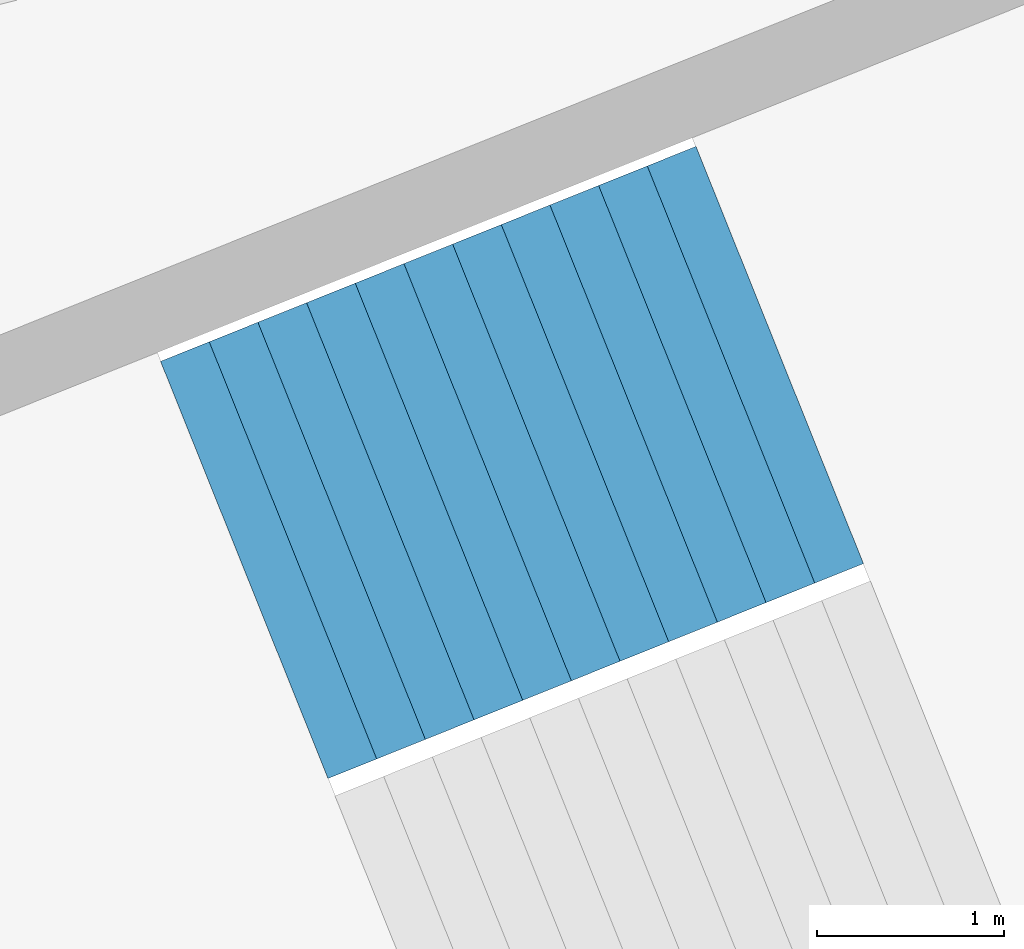
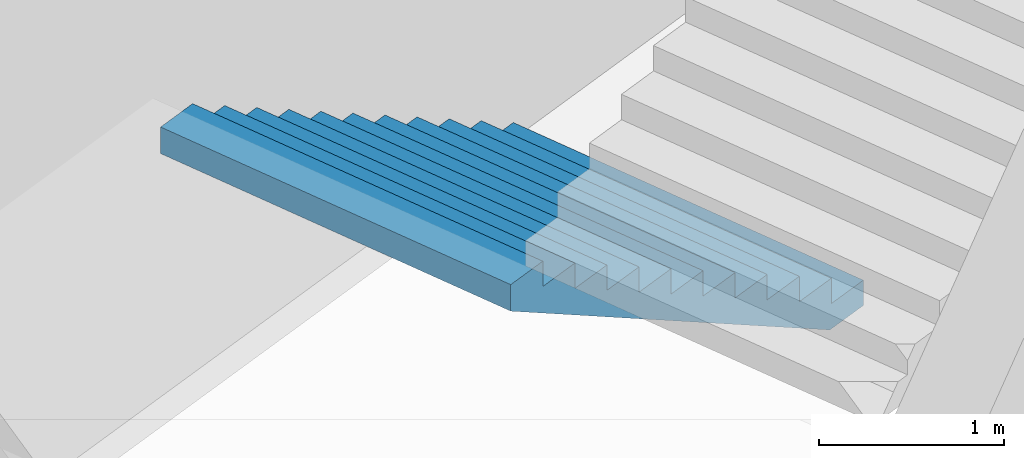
# One storey, part 20 of 74: 1 stair flight, 1 element without a shape of its own.
"""IFC4 building model written with IfcOpenShell, lengths in metres."""

from ifc_helpers import new_model, si_unit, direction, frame, origin, place, context, subcontext, project, spatial, triangles, material, type_object, element, aggregate, save


model = new_model("IFC4")

# Units and contexts
model_context = context("Model", 3, precision=1e-05, world=origin(), true_north=direction((0.0, 1.0)))
body_context = subcontext(model_context, "Body", "Model", "MODEL_VIEW")
ifc_project = project(units=[si_unit("LENGTHUNIT", "METRE"), si_unit("AREAUNIT", "SQUARE_METRE"), si_unit("VOLUMEUNIT", "CUBIC_METRE"), si_unit("PLANEANGLEUNIT", "RADIAN"), si_unit("MASSUNIT", "GRAM", prefix="KILO")], contexts=[model_context])

# Site, building, storey
site_placement = place(None, origin())
site = spatial("IfcSite", under=ifc_project, at=site_placement, CompositionType="ELEMENT")
building_placement = place(site_placement, origin())
building = spatial("IfcBuilding", under=site, at=building_placement, Name="Lantaw Convention Tower", CompositionType="ELEMENT")
storey_placement = place(building_placement, frame((0.0, 0.0, 6.5)))
storey = spatial("IfcBuildingStorey", under=building, at=storey_placement, Name="L01", CompositionType="ELEMENT", Elevation=6.5)

# Stair, stair flight
ifc_material = material(Name="Concrete C35/45", Category="concrete")
stair_type = type_object("IfcStairType", Name="Exit stair 2400 riser 166.67 in 4 flights", PredefinedType="HALF_TURN_STAIR", material=ifc_material)
stair_placement = place(storey_placement, origin())
stair = element("IfcStair", 1, at=stair_placement, inside=storey, type_object=stair_type, Name="Podium exit stair P11 L01", PredefinedType="HALF_TURN_STAIR")
stair_flight_type = type_object("IfcStairFlightType", Name="Stair flight 2400 riser 166.67", PredefinedType="STRAIGHT", material=ifc_material)
stair_flight_placement = place(storey_placement, frame((-30.017578125, -10.703369140625, 0.0), z_axis=(0.0, 0.0, 1.0), x_axis=(-0.928015168305, -0.372542410198, 0.0)))
stair_flight = element("IfcStairFlight", 2, at=stair_flight_placement, type_object=stair_flight_type, Name="P11 flight 1", NumberOfRisers=12, NumberOfTreads=11, PredefinedType="STRAIGHT", RiserHeight=0.166666667, TreadLength=0.28, context=body_context, shape_type="Tessellation", body=[
    triangles([(0.0, 1.199951171875, 0.0), (0.0, 1.199951171875, 0.166666667), (0.28, 1.199951171875, 0.0), (0.28, 1.199951171875, 0.166666667), (0.28, 1.199951171875, 0.333333334), (0.29307345806906726, 1.199951171875, 0.0), (0.29307345806906726, 1.199951171875, 0.333333334), (0.56, 1.199951171875, 0.15888484670522965), (0.56, 1.199951171875, 0.333333334), (0.56, 1.199951171875, 0.500000001), (0.8400000000000001, 1.199951171875, 0.3255515137052296), (0.8400000000000001, 1.199951171875, 0.500000001), (0.8400000000000001, 1.199951171875, 0.666666668), (1.12, 1.199951171875, 0.4922181807052296), (1.12, 1.199951171875, 0.666666668), (1.12, 1.199951171875, 0.833333335), (1.4000000000000001, 1.199951171875, 0.6588848477052296), (1.4000000000000001, 1.199951171875, 0.833333335), (1.4000000000000001, 1.199951171875, 1.000000002), (1.6800000000000002, 1.199951171875, 0.8255515147052296), (1.6800000000000002, 1.199951171875, 1.000000002), (1.6800000000000002, 1.199951171875, 1.166666669), (1.9600000000000002, 1.199951171875, 0.9922181817052296), (1.9600000000000002, 1.199951171875, 1.166666669), (1.9600000000000002, 1.199951171875, 1.333333336), (2.24, 1.199951171875, 1.1588848487052295), (2.24, 1.199951171875, 1.333333336), (2.24, 1.199951171875, 1.5000000029999998), (2.5200000000000005, 1.199951171875, 1.3255515157052296), (2.5200000000000005, 1.199951171875, 1.5000000029999998), (2.5200000000000005, 1.199951171875, 1.66666667), (2.8000000000000003, 1.199951171875, 1.4922181827052294), (2.8000000000000003, 1.199951171875, 1.66666667), (2.8000000000000003, 1.199951171875, 1.833333337), (3.08, 1.199951171875, 1.6588848497052293), (3.08, 1.199951171875, 1.833333337), (0.0, -1.199951171875, 0.0), (0.0, -1.199951171875, 0.166666667), (0.28, -1.199951171875, 0.0), (0.28, -1.199951171875, 0.166666667), (0.28, -1.199951171875, 0.333333334), (0.29307345806906726, -1.199951171875, 0.0), (0.29307345806906726, -1.199951171875, 0.333333334), (0.56, -1.199951171875, 0.15888484670522965), (0.56, -1.199951171875, 0.333333334), (0.56, -1.199951171875, 0.500000001), (0.8400000000000001, -1.199951171875, 0.3255515137052296), (0.8400000000000001, -1.199951171875, 0.500000001), (0.8400000000000001, -1.199951171875, 0.666666668), (1.12, -1.199951171875, 0.4922181807052296), (1.12, -1.199951171875, 0.666666668), (1.12, -1.199951171875, 0.833333335), (1.4000000000000001, -1.199951171875, 0.6588848477052296), (1.4000000000000001, -1.199951171875, 0.833333335), (1.4000000000000001, -1.199951171875, 1.000000002), (1.6800000000000002, -1.199951171875, 0.8255515147052296), (1.6800000000000002, -1.199951171875, 1.000000002), (1.6800000000000002, -1.199951171875, 1.166666669), (1.9600000000000002, -1.199951171875, 0.9922181817052296), (1.9600000000000002, -1.199951171875, 1.166666669), (1.9600000000000002, -1.199951171875, 1.333333336), (2.24, -1.199951171875, 1.1588848487052295), (2.24, -1.199951171875, 1.333333336), (2.24, -1.199951171875, 1.5000000029999998), (2.5200000000000005, -1.199951171875, 1.3255515157052296), (2.5200000000000005, -1.199951171875, 1.5000000029999998), (2.5200000000000005, -1.199951171875, 1.66666667), (2.8000000000000003, -1.199951171875, 1.4922181827052294), (2.8000000000000003, -1.199951171875, 1.66666667), (2.8000000000000003, -1.199951171875, 1.833333337), (3.08, -1.199951171875, 1.6588848497052293), (3.08, -1.199951171875, 1.833333337), (0.0, 0.239990234375, 0.166666667), (0.0, 0.239990234375, 0.0), (0.0, 0.1199951171875, 0.166666667), (0.0, 0.1199951171875, 0.0), (0.0, 0.0, 0.166666667), (0.0, 0.0, 0.0), (0.0, -0.1199951171875, 0.166666667), (0.0, -0.1199951171875, 0.0), (0.0, -0.239990234375, 0.166666667), (0.0, -0.239990234375, 0.0), (0.28, 0.239990234375, 0.333333334), (0.28, 0.239990234375, 0.166666667), (0.28, 0.1199951171875, 0.333333334), (0.28, 0.1199951171875, 0.166666667), (0.28, 0.0, 0.333333334), (0.28, 0.0, 0.166666667), (0.28, -0.1199951171875, 0.333333334), (0.28, -0.1199951171875, 0.166666667), (0.28, -0.239990234375, 0.333333334), (0.28, -0.239990234375, 0.166666667), (0.56, 0.239990234375, 0.500000001), (0.56, 0.239990234375, 0.333333334), (0.56, 0.1199951171875, 0.500000001), (0.56, 0.1199951171875, 0.333333334), (0.56, 0.0, 0.500000001), (0.56, 0.0, 0.333333334), (0.56, -0.1199951171875, 0.500000001), (0.56, -0.1199951171875, 0.333333334), (0.56, -0.239990234375, 0.500000001), (0.56, -0.239990234375, 0.333333334), (0.8400000000000001, 0.239990234375, 0.666666668), (0.8400000000000001, 0.239990234375, 0.500000001), (0.8400000000000001, 0.1199951171875, 0.666666668), (0.8400000000000001, 0.1199951171875, 0.500000001), (0.8400000000000001, 0.0, 0.666666668), (0.8400000000000001, 0.0, 0.500000001), (0.8400000000000001, -0.1199951171875, 0.666666668), (0.8400000000000001, -0.1199951171875, 0.500000001), (0.8400000000000001, -0.239990234375, 0.666666668), (0.8400000000000001, -0.239990234375, 0.500000001), (1.12, 0.239990234375, 0.833333335), (1.12, 0.239990234375, 0.666666668), (1.12, 0.1199951171875, 0.833333335), (1.12, 0.1199951171875, 0.666666668), (1.12, 0.0, 0.833333335), (1.12, 0.0, 0.666666668), (1.12, -0.1199951171875, 0.833333335), (1.12, -0.1199951171875, 0.666666668), (1.12, -0.239990234375, 0.833333335), (1.12, -0.239990234375, 0.666666668), (1.4000000000000001, 0.239990234375, 1.000000002), (1.4000000000000001, 0.239990234375, 0.833333335), (1.4000000000000001, 0.1199951171875, 1.000000002), (1.4000000000000001, 0.1199951171875, 0.833333335), (1.4000000000000001, 0.0, 1.000000002), (1.4000000000000001, 0.0, 0.833333335), (1.4000000000000001, -0.1199951171875, 1.000000002), (1.4000000000000001, -0.1199951171875, 0.833333335), (1.4000000000000001, -0.239990234375, 1.000000002), (1.4000000000000001, -0.239990234375, 0.833333335), (1.6800000000000002, 0.239990234375, 1.166666669), (1.6800000000000002, 0.239990234375, 1.000000002), (1.6800000000000002, 0.1199951171875, 1.166666669), (1.6800000000000002, 0.1199951171875, 1.000000002), (1.6800000000000002, 0.0, 1.166666669), (1.6800000000000002, 0.0, 1.000000002), (1.6800000000000002, -0.1199951171875, 1.166666669), (1.6800000000000002, -0.1199951171875, 1.000000002), (1.6800000000000002, -0.239990234375, 1.166666669), (1.6800000000000002, -0.239990234375, 1.000000002), (1.9600000000000002, 0.239990234375, 1.333333336), (1.9600000000000002, 0.239990234375, 1.166666669), (1.9600000000000002, 0.1199951171875, 1.333333336), (1.9600000000000002, 0.1199951171875, 1.166666669), (1.9600000000000002, 0.0, 1.333333336), (1.9600000000000002, 0.0, 1.166666669), (1.9600000000000002, -0.1199951171875, 1.333333336), (1.9600000000000002, -0.1199951171875, 1.166666669), (1.9600000000000002, -0.239990234375, 1.333333336), (1.9600000000000002, -0.239990234375, 1.166666669), (2.24, 0.239990234375, 1.5000000029999998), (2.24, 0.239990234375, 1.333333336), (2.24, 0.1199951171875, 1.5000000029999998), (2.24, 0.1199951171875, 1.333333336), (2.24, 0.0, 1.5000000029999998), (2.24, 0.0, 1.333333336), (2.24, -0.1199951171875, 1.5000000029999998), (2.24, -0.1199951171875, 1.333333336), (2.24, -0.239990234375, 1.5000000029999998), (2.24, -0.239990234375, 1.333333336), (2.5200000000000005, 0.239990234375, 1.66666667), (2.5200000000000005, 0.239990234375, 1.5000000029999998), (2.5200000000000005, 0.1199951171875, 1.66666667), (2.5200000000000005, 0.1199951171875, 1.5000000029999998), (2.5200000000000005, 0.0, 1.66666667), (2.5200000000000005, 0.0, 1.5000000029999998), (2.5200000000000005, -0.1199951171875, 1.66666667), (2.5200000000000005, -0.1199951171875, 1.5000000029999998), (2.5200000000000005, -0.239990234375, 1.66666667), (2.5200000000000005, -0.239990234375, 1.5000000029999998), (2.8000000000000003, 0.239990234375, 1.833333337), (2.8000000000000003, 0.239990234375, 1.66666667), (2.8000000000000003, 0.1199951171875, 1.833333337), (2.8000000000000003, 0.1199951171875, 1.66666667), (2.8000000000000003, 0.0, 1.833333337), (2.8000000000000003, 0.0, 1.66666667), (2.8000000000000003, -0.1199951171875, 1.833333337), (2.8000000000000003, -0.1199951171875, 1.66666667), (2.8000000000000003, -0.239990234375, 1.833333337), (2.8000000000000003, -0.239990234375, 1.66666667), (0.29307345806906726, 0.239990234375, 0.333333334), (0.29307345806906726, 0.1199951171875, 0.333333334), (0.29307345806906726, 0.0, 0.333333334), (0.29307345806906726, -0.1199951171875, 0.333333334), (0.29307345806906726, -0.239990234375, 0.333333334), (3.08, 0.239990234375, 1.833333337), (3.08, 0.1199951171875, 1.833333337), (3.08, 0.0, 1.833333337), (3.08, -0.1199951171875, 1.833333337), (3.08, -0.239990234375, 1.833333337), (3.08, 0.239990234375, 1.6588848497052293), (3.08, 0.1199951171875, 1.6588848497052293), (3.08, 0.0, 1.6588848497052293), (3.08, -0.1199951171875, 1.6588848497052293), (3.08, -0.239990234375, 1.6588848497052293), (2.8000000000000003, 0.239990234375, 1.4922181827052294), (2.8000000000000003, 0.1199951171875, 1.4922181827052294), (2.8000000000000003, 0.0, 1.4922181827052294), (2.8000000000000003, -0.1199951171875, 1.4922181827052294), (2.8000000000000003, -0.239990234375, 1.4922181827052294), (2.5200000000000005, 0.239990234375, 1.3255515157052296), (2.5200000000000005, 0.1199951171875, 1.3255515157052296), (2.5200000000000005, 0.0, 1.3255515157052296), (2.5200000000000005, -0.1199951171875, 1.3255515157052296), (2.5200000000000005, -0.239990234375, 1.3255515157052296), (2.24, 0.239990234375, 1.1588848487052295), (2.24, 0.1199951171875, 1.1588848487052295), (2.24, 0.0, 1.1588848487052295), (2.24, -0.1199951171875, 1.1588848487052295), (2.24, -0.239990234375, 1.1588848487052295), (1.9600000000000002, 0.239990234375, 0.9922181817052296), (1.9600000000000002, 0.1199951171875, 0.9922181817052296), (1.9600000000000002, 0.0, 0.9922181817052296), (1.9600000000000002, -0.1199951171875, 0.9922181817052296), (1.9600000000000002, -0.239990234375, 0.9922181817052296), (1.6800000000000002, 0.239990234375, 0.8255515147052296), (1.6800000000000002, 0.1199951171875, 0.8255515147052296), (1.6800000000000002, 0.0, 0.8255515147052296), (1.6800000000000002, -0.1199951171875, 0.8255515147052296), (1.6800000000000002, -0.239990234375, 0.8255515147052296), (1.4000000000000001, 0.239990234375, 0.6588848477052296), (1.4000000000000001, 0.1199951171875, 0.6588848477052296), (1.4000000000000001, 0.0, 0.6588848477052296), (1.4000000000000001, -0.1199951171875, 0.6588848477052296), (1.4000000000000001, -0.239990234375, 0.6588848477052296), (1.12, 0.239990234375, 0.4922181807052296), (1.12, 0.1199951171875, 0.4922181807052296), (1.12, 0.0, 0.4922181807052296), (1.12, -0.1199951171875, 0.4922181807052296), (1.12, -0.239990234375, 0.4922181807052296), (0.8400000000000001, 0.239990234375, 0.3255515137052296), (0.8400000000000001, 0.1199951171875, 0.3255515137052296), (0.8400000000000001, 0.0, 0.3255515137052296), (0.8400000000000001, -0.1199951171875, 0.3255515137052296), (0.8400000000000001, -0.239990234375, 0.3255515137052296), (0.56, 0.239990234375, 0.15888484670522965), (0.56, 0.1199951171875, 0.15888484670522965), (0.56, 0.0, 0.15888484670522965), (0.56, -0.1199951171875, 0.15888484670522965), (0.56, -0.239990234375, 0.15888484670522965), (0.29307345806906726, 0.239990234375, 0.0), (0.29307345806906726, 0.1199951171875, 0.0), (0.29307345806906726, 0.0, 0.0), (0.29307345806906726, -0.1199951171875, 0.0), (0.29307345806906726, -0.239990234375, 0.0), (0.28, 0.239990234375, 0.0), (0.28, 0.1199951171875, 0.0), (0.28, 0.0, 0.0), (0.28, -0.1199951171875, 0.0), (0.28, -0.239990234375, 0.0)], [[1, 4, 3], [1, 2, 4], [3, 4, 6], [4, 7, 6], [4, 5, 7], [6, 9, 8], [6, 7, 9], [8, 9, 11], [9, 12, 11], [9, 10, 12], [11, 12, 14], [12, 15, 14], [12, 13, 15], [14, 15, 17], [15, 18, 17], [15, 16, 18], [17, 18, 20], [18, 21, 20], [18, 19, 21], [20, 21, 23], [21, 24, 23], [21, 22, 24], [23, 24, 26], [24, 27, 26], [24, 25, 27], [26, 27, 29], [27, 30, 29], [27, 28, 30], [29, 30, 32], [30, 33, 32], [30, 31, 33], [32, 33, 35], [33, 36, 35], [33, 34, 36], [37, 39, 40], [37, 40, 38], [39, 42, 40], [40, 42, 43], [40, 43, 41], [42, 44, 45], [42, 45, 43], [44, 47, 45], [45, 47, 48], [45, 48, 46], [47, 50, 48], [48, 50, 51], [48, 51, 49], [50, 53, 51], [51, 53, 54], [51, 54, 52], [53, 56, 54], [54, 56, 57], [54, 57, 55], [56, 59, 57], [57, 59, 60], [57, 60, 58], [59, 62, 60], [60, 62, 63], [60, 63, 61], [62, 65, 63], [63, 65, 66], [63, 66, 64], [65, 68, 66], [66, 68, 69], [66, 69, 67], [68, 71, 69], [69, 71, 72], [69, 72, 70], [1, 73, 2], [1, 74, 73], [74, 75, 73], [74, 76, 75], [76, 77, 75], [76, 78, 77], [78, 79, 77], [78, 80, 79], [80, 81, 79], [80, 82, 81], [82, 38, 81], [82, 37, 38], [4, 83, 5], [4, 84, 83], [84, 85, 83], [84, 86, 85], [86, 87, 85], [86, 88, 87], [88, 89, 87], [88, 90, 89], [90, 91, 89], [90, 92, 91], [92, 41, 91], [92, 40, 41], [9, 93, 10], [9, 94, 93], [94, 95, 93], [94, 96, 95], [96, 97, 95], [96, 98, 97], [98, 99, 97], [98, 100, 99], [100, 101, 99], [100, 102, 101], [102, 46, 101], [102, 45, 46], [12, 103, 13], [12, 104, 103], [104, 105, 103], [104, 106, 105], [106, 107, 105], [106, 108, 107], [108, 109, 107], [108, 110, 109], [110, 111, 109], [110, 112, 111], [112, 49, 111], [112, 48, 49], [15, 113, 16], [15, 114, 113], [114, 115, 113], [114, 116, 115], [116, 117, 115], [116, 118, 117], [118, 119, 117], [118, 120, 119], [120, 121, 119], [120, 122, 121], [122, 52, 121], [122, 51, 52], [18, 123, 19], [18, 124, 123], [124, 125, 123], [124, 126, 125], [126, 127, 125], [126, 128, 127], [128, 129, 127], [128, 130, 129], [130, 131, 129], [130, 132, 131], [132, 55, 131], [132, 54, 55], [21, 133, 22], [21, 134, 133], [134, 135, 133], [134, 136, 135], [136, 137, 135], [136, 138, 137], [138, 139, 137], [138, 140, 139], [140, 141, 139], [140, 142, 141], [142, 58, 141], [142, 57, 58], [24, 143, 25], [24, 144, 143], [144, 145, 143], [144, 146, 145], [146, 147, 145], [146, 148, 147], [148, 149, 147], [148, 150, 149], [150, 151, 149], [150, 152, 151], [152, 61, 151], [152, 60, 61], [27, 153, 28], [27, 154, 153], [154, 155, 153], [154, 156, 155], [156, 157, 155], [156, 158, 157], [158, 159, 157], [158, 160, 159], [160, 161, 159], [160, 162, 161], [162, 64, 161], [162, 63, 64], [30, 163, 31], [30, 164, 163], [164, 165, 163], [164, 166, 165], [166, 167, 165], [166, 168, 167], [168, 169, 167], [168, 170, 169], [170, 171, 169], [170, 172, 171], [172, 67, 171], [172, 66, 67], [33, 173, 34], [33, 174, 173], [174, 175, 173], [174, 176, 175], [176, 177, 175], [176, 178, 177], [178, 179, 177], [178, 180, 179], [180, 181, 179], [180, 182, 181], [182, 70, 181], [182, 69, 70], [2, 84, 4], [2, 73, 84], [73, 86, 84], [73, 75, 86], [75, 88, 86], [75, 77, 88], [77, 90, 88], [77, 79, 90], [79, 92, 90], [79, 81, 92], [81, 40, 92], [81, 38, 40], [5, 183, 7], [5, 83, 183], [83, 184, 183], [83, 85, 184], [85, 185, 184], [85, 87, 185], [87, 186, 185], [87, 89, 186], [89, 187, 186], [89, 91, 187], [91, 43, 187], [91, 41, 43], [7, 94, 9], [7, 183, 94], [183, 96, 94], [183, 184, 96], [184, 98, 96], [184, 185, 98], [185, 100, 98], [185, 186, 100], [186, 102, 100], [186, 187, 102], [187, 45, 102], [187, 43, 45], [10, 104, 12], [10, 93, 104], [93, 106, 104], [93, 95, 106], [95, 108, 106], [95, 97, 108], [97, 110, 108], [97, 99, 110], [99, 112, 110], [99, 101, 112], [101, 48, 112], [101, 46, 48], [13, 114, 15], [13, 103, 114], [103, 116, 114], [103, 105, 116], [105, 118, 116], [105, 107, 118], [107, 120, 118], [107, 109, 120], [109, 122, 120], [109, 111, 122], [111, 51, 122], [111, 49, 51], [16, 124, 18], [16, 113, 124], [113, 126, 124], [113, 115, 126], [115, 128, 126], [115, 117, 128], [117, 130, 128], [117, 119, 130], [119, 132, 130], [119, 121, 132], [121, 54, 132], [121, 52, 54], [19, 134, 21], [19, 123, 134], [123, 136, 134], [123, 125, 136], [125, 138, 136], [125, 127, 138], [127, 140, 138], [127, 129, 140], [129, 142, 140], [129, 131, 142], [131, 57, 142], [131, 55, 57], [22, 144, 24], [22, 133, 144], [133, 146, 144], [133, 135, 146], [135, 148, 146], [135, 137, 148], [137, 150, 148], [137, 139, 150], [139, 152, 150], [139, 141, 152], [141, 60, 152], [141, 58, 60], [25, 154, 27], [25, 143, 154], [143, 156, 154], [143, 145, 156], [145, 158, 156], [145, 147, 158], [147, 160, 158], [147, 149, 160], [149, 162, 160], [149, 151, 162], [151, 63, 162], [151, 61, 63], [28, 164, 30], [28, 153, 164], [153, 166, 164], [153, 155, 166], [155, 168, 166], [155, 157, 168], [157, 170, 168], [157, 159, 170], [159, 172, 170], [159, 161, 172], [161, 66, 172], [161, 64, 66], [31, 174, 33], [31, 163, 174], [163, 176, 174], [163, 165, 176], [165, 178, 176], [165, 167, 178], [167, 180, 178], [167, 169, 180], [169, 182, 180], [169, 171, 182], [171, 69, 182], [171, 67, 69], [34, 188, 36], [34, 173, 188], [173, 189, 188], [173, 175, 189], [175, 190, 189], [175, 177, 190], [177, 191, 190], [177, 179, 191], [179, 192, 191], [179, 181, 192], [181, 72, 192], [181, 70, 72], [36, 193, 35], [36, 188, 193], [188, 194, 193], [188, 189, 194], [189, 195, 194], [189, 190, 195], [190, 196, 195], [190, 191, 196], [191, 197, 196], [191, 192, 197], [192, 71, 197], [192, 72, 71], [35, 198, 32], [35, 193, 198], [193, 199, 198], [193, 194, 199], [194, 200, 199], [194, 195, 200], [195, 201, 200], [195, 196, 201], [196, 202, 201], [196, 197, 202], [197, 68, 202], [197, 71, 68], [32, 203, 29], [32, 198, 203], [198, 204, 203], [198, 199, 204], [199, 205, 204], [199, 200, 205], [200, 206, 205], [200, 201, 206], [201, 207, 206], [201, 202, 207], [202, 65, 207], [202, 68, 65], [29, 208, 26], [29, 203, 208], [203, 209, 208], [203, 204, 209], [204, 210, 209], [204, 205, 210], [205, 211, 210], [205, 206, 211], [206, 212, 211], [206, 207, 212], [207, 62, 212], [207, 65, 62], [26, 213, 23], [26, 208, 213], [208, 214, 213], [208, 209, 214], [209, 215, 214], [209, 210, 215], [210, 216, 215], [210, 211, 216], [211, 217, 216], [211, 212, 217], [212, 59, 217], [212, 62, 59], [23, 218, 20], [23, 213, 218], [213, 219, 218], [213, 214, 219], [214, 220, 219], [214, 215, 220], [215, 221, 220], [215, 216, 221], [216, 222, 221], [216, 217, 222], [217, 56, 222], [217, 59, 56], [20, 223, 17], [20, 218, 223], [218, 224, 223], [218, 219, 224], [219, 225, 224], [219, 220, 225], [220, 226, 225], [220, 221, 226], [221, 227, 226], [221, 222, 227], [222, 53, 227], [222, 56, 53], [17, 228, 14], [17, 223, 228], [223, 229, 228], [223, 224, 229], [224, 230, 229], [224, 225, 230], [225, 231, 230], [225, 226, 231], [226, 232, 231], [226, 227, 232], [227, 50, 232], [227, 53, 50], [14, 233, 11], [14, 228, 233], [228, 234, 233], [228, 229, 234], [229, 235, 234], [229, 230, 235], [230, 236, 235], [230, 231, 236], [231, 237, 236], [231, 232, 237], [232, 47, 237], [232, 50, 47], [11, 238, 8], [11, 233, 238], [233, 239, 238], [233, 234, 239], [234, 240, 239], [234, 235, 240], [235, 241, 240], [235, 236, 241], [236, 242, 241], [236, 237, 242], [237, 44, 242], [237, 47, 44], [8, 243, 6], [8, 238, 243], [238, 244, 243], [238, 239, 244], [239, 245, 244], [239, 240, 245], [240, 246, 245], [240, 241, 246], [241, 247, 246], [241, 242, 247], [242, 42, 247], [242, 44, 42], [6, 248, 3], [6, 243, 248], [243, 249, 248], [243, 244, 249], [244, 250, 249], [244, 245, 250], [245, 251, 250], [245, 246, 251], [246, 252, 251], [246, 247, 252], [247, 39, 252], [247, 42, 39], [3, 74, 1], [3, 248, 74], [248, 76, 74], [248, 249, 76], [249, 78, 76], [249, 250, 78], [250, 80, 78], [250, 251, 80], [251, 82, 80], [251, 252, 82], [252, 37, 82], [252, 39, 37]], closed=True),
])
aggregate(stair, [stair_flight])

save(model, "model.ifc")
